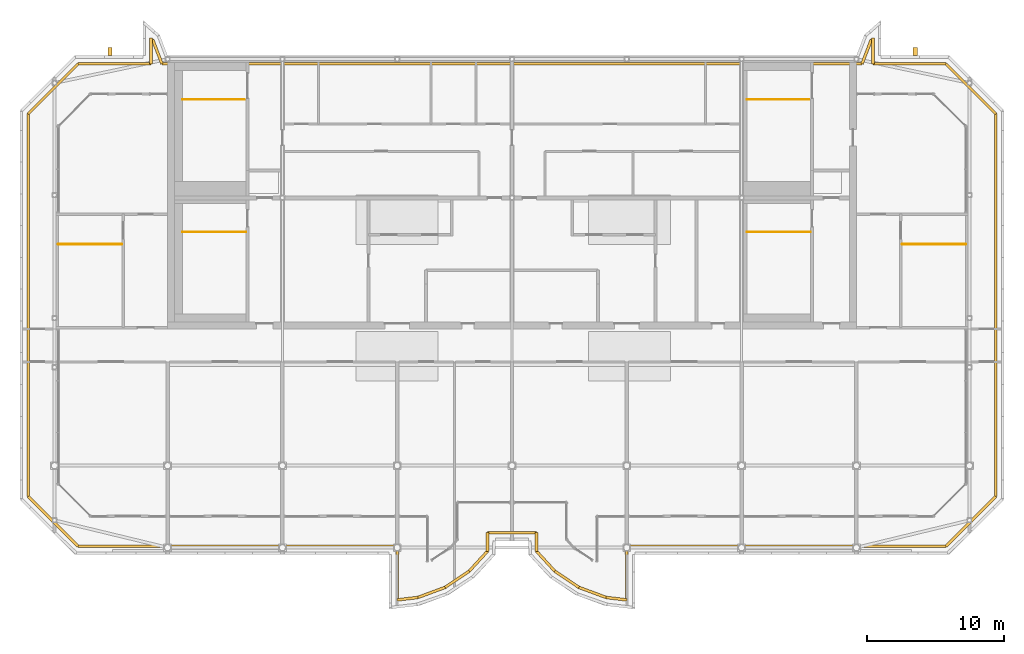
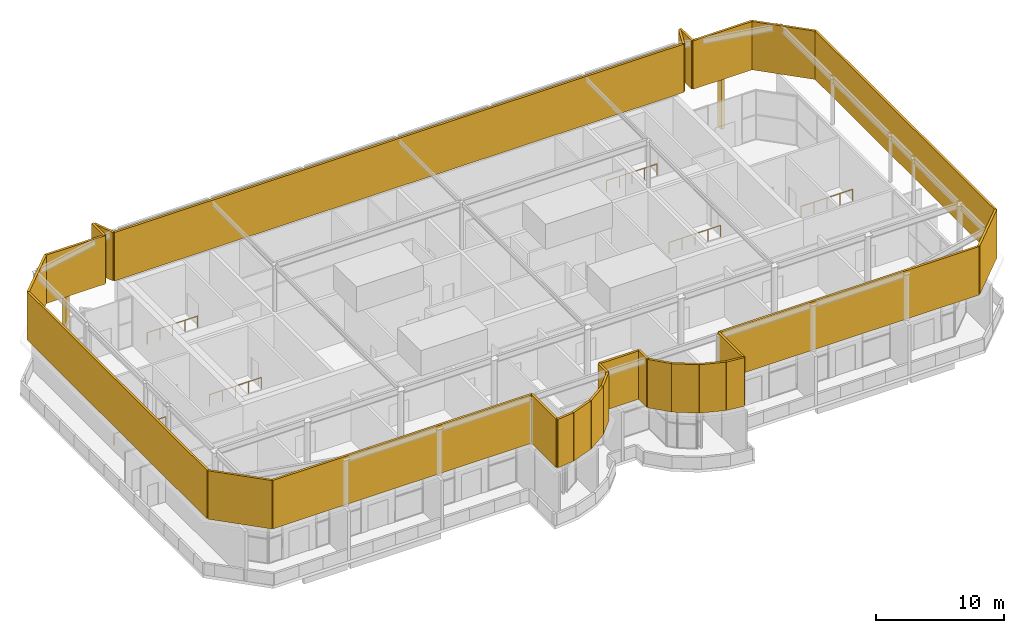
# One storey, part 24 of 25: 28 shading devices, 6 railings, 2 coverings.
"""IFC4 building model written with IfcOpenShell, lengths in metres."""

from ifc_helpers import new_model, si_unit, direction, frame, origin, origin_2d, place, context, subcontext, project, spatial, rectangle, circle, extrude, source, transform, mapped, material, layer, layer_set, material_profile, profile_set, type_object, element, save


model = new_model("IFC4")

# Units and contexts
model_context = context("Model", 3, precision=1e-05, world=origin(), true_north=direction((0.0, 1.0)))
body_context = subcontext(model_context, "Body", "Model", "MODEL_VIEW")
ifc_project = project(units=[si_unit("LENGTHUNIT", "METRE"), si_unit("AREAUNIT", "SQUARE_METRE"), si_unit("VOLUMEUNIT", "CUBIC_METRE"), si_unit("PLANEANGLEUNIT", "RADIAN"), si_unit("MASSUNIT", "GRAM", prefix="KILO")], contexts=[model_context])

# Site, building, storey
site_placement = place(None, origin())
site = spatial("IfcSite", under=ifc_project, at=site_placement, CompositionType="ELEMENT")
building_placement = place(site_placement, origin())
building = spatial("IfcBuilding", under=site, at=building_placement, Name="Vanashikhar Sky Hotel", CompositionType="ELEMENT")
storey_placement = place(building_placement, frame((0.0, 0.0, 329.699951171875)))
storey = spatial("IfcBuildingStorey", under=building, at=storey_placement, Name="L78", CompositionType="ELEMENT", Elevation=329.699951171875)

# Shading devices
ifc_material_1 = material(Name="Aluminium", Category="aluminium")
ifc_layer = layer(ifc_material_1, 0.199951171875)
ifc_layer_set = layer_set([ifc_layer], Name="Aluminium louvre band")
shading_device_type = type_object("IfcShadingDeviceType", Name="Aluminium louvre band", PredefinedType="USERDEFINED", material=ifc_layer_set)
shared_shape_1 = source(origin(), body_context, "Body", "SweptSolid", [
    extrude(rectangle(XDim=2.128173828125, YDim=0.199951171875, at=origin_2d()), origin(), (0.0, 0.0, 1.0), 4.60009765625),
])
for number, where, z_axis, x_axis, name in (
    (1, (46.389892578125, 3.689697265625, 5.0), (0.0, 0.0, 1.0), (-0.829603213612, -0.558353389857, 0.0), "Crown louvre band"),
    (2, (54.409912109375, 3.689697265625, 5.0), (0.0, 0.0, 1.0), (-0.829603213612, 0.558353389857, 0.0), "Crown louvre band"),
):
    element("IfcShadingDevice", number, at=place(storey_placement, frame(where, z_axis=z_axis, x_axis=x_axis)), inside=storey, type_object=shading_device_type, Name=name, ObjectType="LOUVRE", PredefinedType="USERDEFINED", context=body_context, shape_type="MappedRepresentation", body=[
        mapped(shared_shape_1, transform((0.0, 0.0, 0.0), scale=1.0)),
    ])
shared_shape_2 = source(origin(), body_context, "Body", "SweptSolid", [
    extrude(rectangle(XDim=2.1279296875, YDim=0.199951171875, at=origin_2d()), origin(), (0.0, 0.0, 1.0), 4.60009765625),
])
for number, where, z_axis, x_axis, name in (
    (3, (44.509765625, 2.7255859375, 5.0), (0.0, 0.0, 1.0), (-0.937537254303, -0.347884890149, 0.0), "Crown louvre band"),
    (4, (56.290283203125, 2.7255859375, 5.0), (0.0, 0.0, 1.0), (-0.937537254303, 0.347884890149, 0.0), "Crown louvre band"),
):
    element("IfcShadingDevice", number, at=place(storey_placement, frame(where, z_axis=z_axis, x_axis=x_axis)), inside=storey, type_object=shading_device_type, Name=name, ObjectType="LOUVRE", PredefinedType="USERDEFINED", context=body_context, shape_type="MappedRepresentation", body=[
        mapped(shared_shape_2, transform((0.0, 0.0, 0.0), scale=1.0)),
    ])
shared_shape_3 = source(origin(), body_context, "Body", "SweptSolid", [
    extrude(rectangle(XDim=1.52294921875, YDim=0.199951171875, at=origin_2d()), origin(), (0.0, 0.0, 1.0), 4.60009765625),
])
for number, where, z_axis, x_axis, name in (
    (5, (42.756103515625, 2.265380859375, 5.0), (0.0, 0.0, 1.0), (-0.993004717752, -0.11807468197, 0.0), "Crown louvre band"),
    (6, (58.0439453125, 2.265380859375, 5.0), (0.0, 0.0, 1.0), (-0.993004717752, 0.11807468197, 0.0), "Crown louvre band"),
):
    element("IfcShadingDevice", number, at=place(storey_placement, frame(where, z_axis=z_axis, x_axis=x_axis)), inside=storey, type_object=shading_device_type, Name=name, ObjectType="LOUVRE", PredefinedType="USERDEFINED", context=body_context, shape_type="MappedRepresentation", body=[
        mapped(shared_shape_3, transform((0.0, 0.0, 0.0), scale=1.0)),
    ])
shared_shape_4 = source(origin(), body_context, "Body", "SweptSolid", [
    extrude(rectangle(XDim=3.92431640625, YDim=0.199951171875, at=origin_2d()), origin(), (0.0, 0.0, 1.0), 4.60009765625),
])
for number, where, z_axis, x_axis, name in (
    (7, (42.0, 4.1376953125, 5.0), (0.0, 0.0, 1.0), (0.0, 1.0, 0.0), "Crown louvre band"),
    (8, (58.800048828125, 4.1376953125, 5.0), (0.0, 0.0, 1.0), (0.0, -1.0, 0.0), "Crown louvre band"),
):
    element("IfcShadingDevice", number, at=place(storey_placement, frame(where, z_axis=z_axis, x_axis=x_axis)), inside=storey, type_object=shading_device_type, Name=name, ObjectType="LOUVRE", PredefinedType="USERDEFINED", context=body_context, shape_type="MappedRepresentation", body=[
        mapped(shared_shape_4, transform((0.0, 0.0, 0.0), scale=1.0)),
    ])
shared_shape_5 = source(origin(), body_context, "Body", "SweptSolid", [
    extrude(rectangle(XDim=23.3515625, YDim=0.199951171875, at=origin_2d()), origin(), (0.0, 0.0, 1.0), 4.60009765625),
])
for number, where, z_axis, x_axis, name in (
    (9, (30.32421875, 6.10009765625, 5.0), (0.0, 0.0, 1.0), (-1.0, 0.0, 0.0), "Crown louvre band"),
    (10, (70.4755859375, 6.10009765625, 5.0), (0.0, 0.0, 1.0), (-1.0, 0.0, 0.0), "Crown louvre band"),
):
    element("IfcShadingDevice", number, at=place(storey_placement, frame(where, z_axis=z_axis, x_axis=x_axis)), inside=storey, type_object=shading_device_type, Name=name, ObjectType="LOUVRE", PredefinedType="USERDEFINED", context=body_context, shape_type="MappedRepresentation", body=[
        mapped(shared_shape_5, transform((0.0, 0.0, 0.0), scale=1.0)),
    ])
shared_shape_6 = source(origin(), body_context, "Body", "SweptSolid", [
    extrude(rectangle(XDim=5.159912109375, YDim=0.199951171875, at=origin_2d()), origin(), (0.0, 0.0, 1.0), 4.60009765625),
])
for number, where, z_axis, x_axis, name in (
    (11, (16.82421875, 7.92431640625, 5.0), (0.0, 0.0, 1.0), (-0.707106781187, 0.707106781187, 0.0), "Crown louvre band"),
    (12, (16.82421875, 39.57568359375, 5.0), (0.0, 0.0, 1.0), (0.707106781187, 0.707106781187, 0.0), "Crown louvre band"),
    (13, (83.9755859375, 39.57568359375, 5.0), (0.0, 0.0, 1.0), (0.707106781187, -0.707106781187, 0.0), "Crown louvre band"),
    (14, (83.9755859375, 7.92431640625, 5.0), (0.0, 0.0, 1.0), (-0.707106781187, -0.707106781187, 0.0), "Crown louvre band"),
):
    element("IfcShadingDevice", number, at=place(storey_placement, frame(where, z_axis=z_axis, x_axis=x_axis)), inside=storey, type_object=shading_device_type, Name=name, ObjectType="LOUVRE", PredefinedType="USERDEFINED", context=body_context, shape_type="MappedRepresentation", body=[
        mapped(shared_shape_6, transform((0.0, 0.0, 0.0), scale=1.0)),
    ])
shared_shape_7 = source(origin(), body_context, "Body", "SweptSolid", [
    extrude(rectangle(XDim=28.0029296875, YDim=0.199951171875, at=origin_2d()), origin(), (0.0, 0.0, 1.0), 4.60009765625),
])
for number, where, z_axis, x_axis, name in (
    (15, (15.0, 23.75, 5.0), (0.0, 0.0, 1.0), (0.0, 1.0, 0.0), "Crown louvre band"),
    (16, (85.800048828125, 23.75, 5.0), (0.0, 0.0, 1.0), (0.0, -1.0, 0.0), "Crown louvre band"),
):
    element("IfcShadingDevice", number, at=place(storey_placement, frame(where, z_axis=z_axis, x_axis=x_axis)), inside=storey, type_object=shading_device_type, Name=name, ObjectType="LOUVRE", PredefinedType="USERDEFINED", context=body_context, shape_type="MappedRepresentation", body=[
        mapped(shared_shape_7, transform((0.0, 0.0, 0.0), scale=1.0)),
    ])
shared_shape_8 = source(origin(), body_context, "Body", "SweptSolid", [
    extrude(rectangle(XDim=5.339599609375, YDim=0.199951171875, at=origin_2d()), origin(), (0.0, 0.0, 1.0), 4.60009765625),
])
for number, where, z_axis, x_axis, name in (
    (17, (21.318359375, 41.39990234375, 5.0), (0.0, 0.0, 1.0), (1.0, 0.0, 0.0), "Crown louvre band"),
    (18, (79.481689453125, 41.39990234375, 5.0), (0.0, 0.0, 1.0), (1.0, 0.0, 0.0), "Crown louvre band"),
):
    element("IfcShadingDevice", number, at=place(storey_placement, frame(where, z_axis=z_axis, x_axis=x_axis)), inside=storey, type_object=shading_device_type, Name=name, ObjectType="LOUVRE", PredefinedType="USERDEFINED", context=body_context, shape_type="MappedRepresentation", body=[
        mapped(shared_shape_8, transform((0.0, 0.0, 0.0), scale=1.0)),
    ])
shared_shape_9 = source(origin(), body_context, "Body", "SweptSolid", [
    extrude(rectangle(XDim=1.880126953125, YDim=0.199951171875, at=origin_2d()), origin(), (0.0, 0.0, 1.0), 4.60009765625),
])
for number, where, z_axis, x_axis, name in (
    (19, (23.988037109375, 42.340087890625, 5.0), (0.0, 0.0, 1.0), (0.0, 1.0, 0.0), "Crown louvre band"),
    (20, (76.81201171875, 42.340087890625, 5.0), (0.0, 0.0, 1.0), (0.0, -1.0, 0.0), "Crown louvre band"),
):
    element("IfcShadingDevice", number, at=place(storey_placement, frame(where, z_axis=z_axis, x_axis=x_axis)), inside=storey, type_object=shading_device_type, Name=name, ObjectType="LOUVRE", PredefinedType="USERDEFINED", context=body_context, shape_type="MappedRepresentation", body=[
        mapped(shared_shape_9, transform((0.0, 0.0, 0.0), scale=1.0)),
    ])
shared_shape_10 = source(origin(), body_context, "Body", "SweptSolid", [
    extrude(rectangle(XDim=1.900390625, YDim=0.199951171875, at=origin_2d()), origin(), (0.0, 0.0, 1.0), 4.60009765625),
])
for number, where, z_axis, x_axis, name in (
    (21, (24.447509765625, 42.287353515625, 5.0), (0.0, 0.0, 1.0), (0.357748696787, -0.933817899779, 0.0), "Crown louvre band"),
    (22, (76.3525390625, 42.287353515625, 5.0), (0.0, 0.0, 1.0), (0.357748696787, 0.933817899779, 0.0), "Crown louvre band"),
):
    element("IfcShadingDevice", number, at=place(storey_placement, frame(where, z_axis=z_axis, x_axis=x_axis)), inside=storey, type_object=shading_device_type, Name=name, ObjectType="LOUVRE", PredefinedType="USERDEFINED", context=body_context, shape_type="MappedRepresentation", body=[
        mapped(shared_shape_10, transform((0.0, 0.0, 0.0), scale=1.0)),
    ])
shared_shape_11 = source(origin(), body_context, "Body", "SweptSolid", [
    extrude(rectangle(XDim=51.225341796875, YDim=0.199951171875, at=origin_2d()), origin(), (0.0, 0.0, 1.0), 4.60009765625),
])
shading_device_1_placement = place(storey_placement, frame((50.39990234375, 41.39990234375, 5.0), z_axis=(0.0, 0.0, 1.0), x_axis=(1.0, 0.0, 0.0)))
element("IfcShadingDevice", 23, at=shading_device_1_placement, inside=storey, type_object=shading_device_type, Name="Crown louvre band", ObjectType="LOUVRE", PredefinedType="USERDEFINED", context=body_context, shape_type="MappedRepresentation", body=[
    mapped(shared_shape_11, transform((0.0, 0.0, 0.0), scale=1.0)),
])
shared_shape_12 = source(origin(), body_context, "Body", "SweptSolid", [
    extrude(rectangle(XDim=1.965087890625, YDim=0.199951171875, at=origin_2d()), origin(), (0.0, 0.0, 1.0), 4.60009765625),
])
for number, where, z_axis, x_axis, name in (
    (24, (52.863525390625, 5.008544921875, 5.0), (0.0, 0.0, 1.0), (-0.675371423292, 0.737477756004, 0.0), "Crown louvre band"),
    (25, (47.936279296875, 5.008544921875, 5.0), (0.0, 0.0, 1.0), (-0.675371423292, -0.737477756004, 0.0), "Crown louvre band"),
):
    element("IfcShadingDevice", number, at=place(storey_placement, frame(where, z_axis=z_axis, x_axis=x_axis)), inside=storey, type_object=shading_device_type, Name=name, ObjectType="LOUVRE", PredefinedType="USERDEFINED", context=body_context, shape_type="MappedRepresentation", body=[
        mapped(shared_shape_12, transform((0.0, 0.0, 0.0), scale=1.0)),
    ])
shared_shape_13 = source(origin(), body_context, "Body", "SweptSolid", [
    extrude(rectangle(XDim=1.36669921875, YDim=0.199951171875, at=origin_2d()), origin(), (0.0, 0.0, 1.0), 4.60009765625),
])
for number, where, z_axis, x_axis, name in (
    (26, (52.199951171875, 6.41650390625, 5.0), (0.0, 0.0, 1.0), (0.0, 1.0, 0.0), "Crown louvre band"),
    (27, (48.60009765625, 6.41650390625, 5.0), (0.0, 0.0, 1.0), (0.0, -1.0, 0.0), "Crown louvre band"),
):
    element("IfcShadingDevice", number, at=place(storey_placement, frame(where, z_axis=z_axis, x_axis=x_axis)), inside=storey, type_object=shading_device_type, Name=name, ObjectType="LOUVRE", PredefinedType="USERDEFINED", context=body_context, shape_type="MappedRepresentation", body=[
        mapped(shared_shape_13, transform((0.0, 0.0, 0.0), scale=1.0)),
    ])
shared_shape_14 = source(origin(), body_context, "Body", "SweptSolid", [
    extrude(rectangle(XDim=3.60009765625, YDim=0.199951171875, at=origin_2d()), origin(), (0.0, 0.0, 1.0), 4.60009765625),
])
shading_device_2_placement = place(storey_placement, frame((50.39990234375, 7.10009765625, 5.0), z_axis=(0.0, 0.0, 1.0), x_axis=(-1.0, 0.0, 0.0)))
element("IfcShadingDevice", 28, at=shading_device_2_placement, inside=storey, type_object=shading_device_type, Name="Crown louvre band", ObjectType="LOUVRE", PredefinedType="USERDEFINED", context=body_context, shape_type="MappedRepresentation", body=[
    mapped(shared_shape_14, transform((0.0, 0.0, 0.0), scale=1.0)),
])

# Coverings
ifc_material_2 = material(Name="Concrete M60 dark", Category="concrete")
ifc_material_profile = material_profile(ifc_material_2, rectangle(XDim=0.60009765625, YDim=0.300048828125, at=origin_2d()))
ifc_profile_set = profile_set([ifc_material_profile], Name="Rear rib 600 x 300")
covering_type = type_object("IfcCoveringType", Name="Rear rib 600 x 300", PredefinedType="CLADDING", material=ifc_profile_set)
shared_shape_15 = source(origin(), body_context, "Body", "SweptSolid", [
    extrude(rectangle(XDim=0.60009765625, YDim=0.300048828125, at=origin_2d()), origin(), (0.0, 0.0, 1.0), 5.0),
])
for number, where, z_axis, x_axis, name in (
    (29, (20.993896484375, 42.300048828125, -0.280029296875), (0.0, 0.0, 1.0), (0.0, 1.0, 0.0), "Rear rib"),
    (30, (79.906005859375, 42.300048828125, -0.280029296875), (0.0, 0.0, 1.0), (0.0, 1.0, 0.0), "Rear rib"),
):
    element("IfcCovering", number, at=place(storey_placement, frame(where, z_axis=z_axis, x_axis=x_axis)), inside=storey, type_object=covering_type, Name=name, PredefinedType="CLADDING", context=body_context, shape_type="MappedRepresentation", body=[
        mapped(shared_shape_15, transform((0.0, 0.0, 0.0), scale=1.0)),
    ])

# Railings
ifc_material_3 = material(Name="Steel S355", Category="steel")
railing_type = type_object("IfcRailingType", Name="Stair guard 1100", PredefinedType="GUARDRAIL", material=ifc_material_3)
shared_shape_16 = source(origin(), body_context, "Body", "SweptSolid", [
    extrude(circle(Radius=0.02392578125, at=origin_2d()), frame((0.0, 0.0, 1.076171875), z_axis=(-1.0, 0.0, 0.0), x_axis=(0.0, -1.0, 0.0)), (0.0, 0.0, 1.0), 4.64990234375),
    extrude(circle(Radius=0.02099609375, at=origin_2d()), origin(), (0.0, 0.0, 1.0), 1.052001953125),
    extrude(circle(Radius=0.02099609375, at=origin_2d()), frame((-1.16259765625, 0.0, 0.0)), (0.0, 0.0, 1.0), 1.052001953125),
    extrude(circle(Radius=0.02099609375, at=origin_2d()), frame((-2.324951171875, 0.0, 0.0)), (0.0, 0.0, 1.0), 1.052001953125),
    extrude(circle(Radius=0.02099609375, at=origin_2d()), frame((-3.4873046875, 0.0, 0.0)), (0.0, 0.0, 1.0), 1.052001953125),
    extrude(circle(Radius=0.02099609375, at=origin_2d()), frame((-4.64990234375, 0.0, 0.0)), (0.0, 0.0, 1.0), 1.052001953125),
])
for number, where, name in (
    (31, (30.949951171875, 29.10009765625, 0.0), "Exit stair 1 top guard"),
    (32, (72.25, 29.10009765625, 0.0), "Exit stair 2 top guard"),
):
    element("IfcRailing", number, at=place(storey_placement, frame(where)), inside=storey, type_object=railing_type, Name=name, PredefinedType="GUARDRAIL", context=body_context, shape_type="MappedRepresentation", body=[
        mapped(shared_shape_16, transform((0.0, 0.0, 0.0), scale=1.0)),
    ])
shared_shape_17 = source(origin(), body_context, "Body", "SweptSolid", [
    extrude(circle(Radius=0.02392578125, at=origin_2d()), frame((0.0, 0.0, 1.076171875), z_axis=(-1.0, 0.0, 0.0), x_axis=(0.0, -1.0, 0.0)), (0.0, 0.0, 1.0), 4.650146484375),
    extrude(circle(Radius=0.02099609375, at=origin_2d()), origin(), (0.0, 0.0, 1.0), 1.052001953125),
    extrude(circle(Radius=0.02099609375, at=origin_2d()), frame((-1.16259765625, 0.0, 0.0)), (0.0, 0.0, 1.0), 1.052001953125),
    extrude(circle(Radius=0.02099609375, at=origin_2d()), frame((-2.3251953125, 0.0, 0.0)), (0.0, 0.0, 1.0), 1.052001953125),
    extrude(circle(Radius=0.02099609375, at=origin_2d()), frame((-3.487548828125, 0.0, 0.0)), (0.0, 0.0, 1.0), 1.052001953125),
    extrude(circle(Radius=0.02099609375, at=origin_2d()), frame((-4.650146484375, 0.0, 0.0)), (0.0, 0.0, 1.0), 1.052001953125),
])
for number, where, name in (
    (33, (21.85009765625, 28.199951171875, 0.0), "Exit stair 3 top guard"),
    (34, (83.60009765625, 28.199951171875, 0.0), "Exit stair 4 top guard"),
):
    element("IfcRailing", number, at=place(storey_placement, frame(where)), inside=storey, type_object=railing_type, Name=name, PredefinedType="GUARDRAIL", context=body_context, shape_type="MappedRepresentation", body=[
        mapped(shared_shape_17, transform((0.0, 0.0, 0.0), scale=1.0)),
    ])
shared_shape_18 = source(origin(), body_context, "Body", "SweptSolid", [
    extrude(circle(Radius=0.02392578125, at=origin_2d()), frame((0.0, 0.0, 1.076171875), z_axis=(-1.0, 0.0, 0.0), x_axis=(0.0, -1.0, 0.0)), (0.0, 0.0, 1.0), 4.530029296875),
    extrude(circle(Radius=0.02099609375, at=origin_2d()), origin(), (0.0, 0.0, 1.0), 1.052001953125),
    extrude(circle(Radius=0.02099609375, at=origin_2d()), frame((-1.132568359375, 0.0, 0.0)), (0.0, 0.0, 1.0), 1.052001953125),
    extrude(circle(Radius=0.02099609375, at=origin_2d()), frame((-2.26513671875, 0.0, 0.0)), (0.0, 0.0, 1.0), 1.052001953125),
    extrude(circle(Radius=0.02099609375, at=origin_2d()), frame((-3.3974609375, 0.0, 0.0)), (0.0, 0.0, 1.0), 1.052001953125),
    extrude(circle(Radius=0.02099609375, at=origin_2d()), frame((-4.530029296875, 0.0, 0.0)), (0.0, 0.0, 1.0), 1.052001953125),
])
railing_1_placement = place(storey_placement, frame((30.830078125, 38.800048828125, 0.0)))
element("IfcRailing", 35, at=railing_1_placement, inside=storey, type_object=railing_type, Name="Exit stair 5 top guard", PredefinedType="GUARDRAIL", context=body_context, shape_type="MappedRepresentation", body=[
    mapped(shared_shape_18, transform((0.0, 0.0, 0.0), scale=1.0)),
])
shared_shape_19 = source(origin(), body_context, "Body", "SweptSolid", [
    extrude(circle(Radius=0.02392578125, at=origin_2d()), frame((0.0, 0.0, 1.076171875), z_axis=(-1.0, 0.0, 0.0), x_axis=(0.0, -1.0, 0.0)), (0.0, 0.0, 1.0), 4.52978515625),
    extrude(circle(Radius=0.02099609375, at=origin_2d()), origin(), (0.0, 0.0, 1.0), 1.052001953125),
    extrude(circle(Radius=0.02099609375, at=origin_2d()), frame((-1.13232421875, 0.0, 0.0)), (0.0, 0.0, 1.0), 1.052001953125),
    extrude(circle(Radius=0.02099609375, at=origin_2d()), frame((-2.264892578125, 0.0, 0.0)), (0.0, 0.0, 1.0), 1.052001953125),
    extrude(circle(Radius=0.02099609375, at=origin_2d()), frame((-3.3974609375, 0.0, 0.0)), (0.0, 0.0, 1.0), 1.052001953125),
    extrude(circle(Radius=0.02099609375, at=origin_2d()), frame((-4.52978515625, 0.0, 0.0)), (0.0, 0.0, 1.0), 1.052001953125),
])
railing_2_placement = place(storey_placement, frame((72.1298828125, 38.800048828125, 0.0)))
element("IfcRailing", 36, at=railing_2_placement, inside=storey, type_object=railing_type, Name="Exit stair 6 top guard", PredefinedType="GUARDRAIL", context=body_context, shape_type="MappedRepresentation", body=[
    mapped(shared_shape_19, transform((0.0, 0.0, 0.0), scale=1.0)),
])

save(model, "model.ifc")
